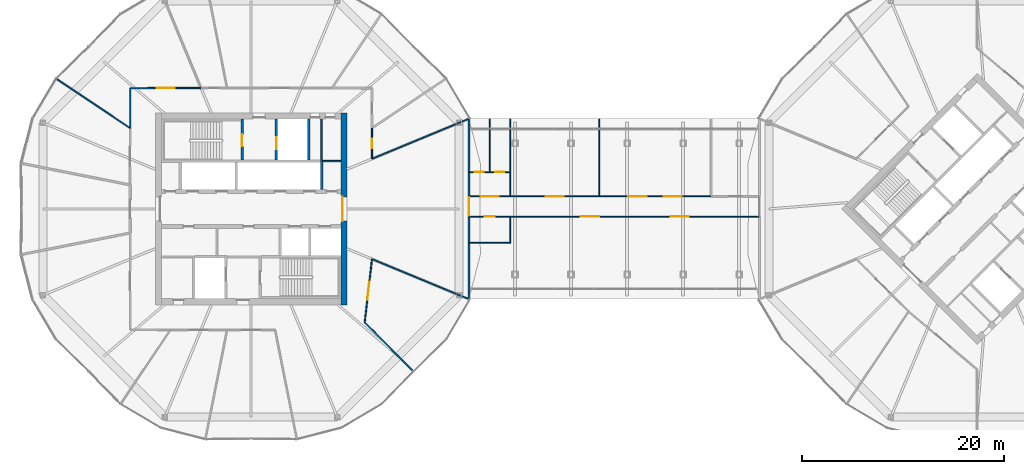
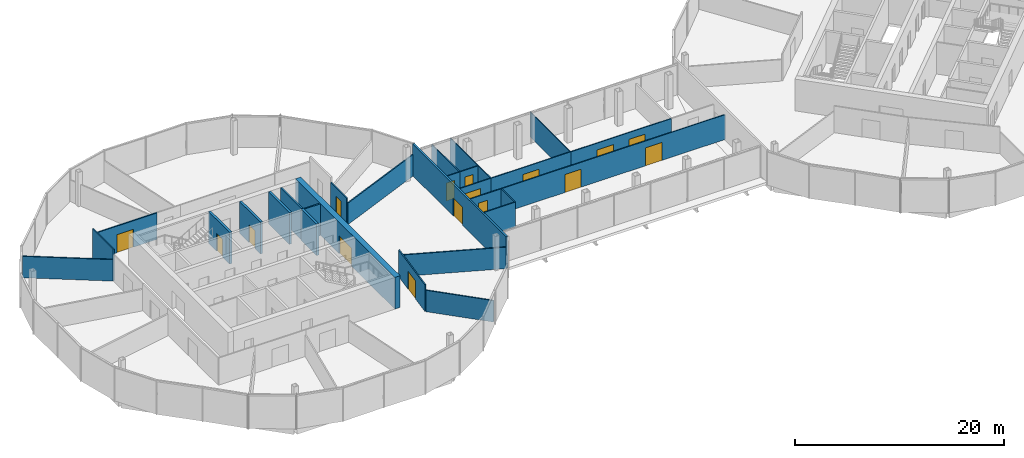
# One storey, part 20 of 25: 29 walls, 16 doors, 16 openings.
"""IFC4 building model written with IfcOpenShell, lengths in metres."""

from ifc_helpers import new_model, si_unit, direction, frame, frame_2d, origin, place, context, subcontext, project, spatial, rectangle, extrude, material, layer, layer_set, type_object, element, fill, save


model = new_model("IFC4")

# Units and contexts
model_context = context("Model", 3, precision=1e-05, world=origin(), true_north=direction((0.0, 1.0)))
body_context = subcontext(model_context, "Body", "Model", "MODEL_VIEW")
ifc_project = project(units=[si_unit("LENGTHUNIT", "METRE"), si_unit("AREAUNIT", "SQUARE_METRE"), si_unit("VOLUMEUNIT", "CUBIC_METRE"), si_unit("PLANEANGLEUNIT", "RADIAN"), si_unit("MASSUNIT", "GRAM", prefix="KILO")], contexts=[model_context])

# Site, building, storey
site_placement = place(None, origin())
site = spatial("IfcSite", under=ifc_project, at=site_placement, CompositionType="ELEMENT")
building_placement = place(site_placement, origin())
building = spatial("IfcBuilding", under=site, at=building_placement, Name="Ogive Gate Towers", CompositionType="ELEMENT")
storey_placement = place(building_placement, frame((0.0, 0.0, 140.800048828125)))
storey = spatial("IfcBuildingStorey", under=building, at=storey_placement, Name="L33", CompositionType="ELEMENT", Elevation=140.800048828125)

# Wall, opening, door
ifc_material_1 = material(Name="Concrete C60/75", Category="concrete")
ifc_layer_1 = layer(ifc_material_1, 0.60009765625)
ifc_layer_set_1 = layer_set([ifc_layer_1], Name="Core wall 600 mm")
wall_type_1 = type_object("IfcWallType", Name="Core wall 600 mm", PredefinedType="SHEAR", material=ifc_layer_set_1)
wall_1_placement = place(storey_placement, frame((-26.800048828125, -9.5, 0.0), z_axis=(0.0, 0.0, 1.0), x_axis=(0.0, 1.0, 0.0)))
wall_1 = element("IfcWall", 1, at=wall_1_placement, inside=storey, type_object=wall_type_1, Name="T1 L33 Core wall 600 mm", PredefinedType="SHEAR", context=body_context, shape_type="SweptSolid", body=[
    extrude(rectangle(XDim=19.0, YDim=0.60009765625, at=frame_2d((9.5, 0.0))), origin(), (0.0, 0.0, 1.0), 3.699951171875),
])
opening_1_placement = place(wall_1_placement, frame((8.300048828125, 0.0, 0.0)))
opening_1 = element("IfcOpeningElement", 2, at=opening_1_placement, cuts=wall_1, Name="Opening KD-T1-L33-02", PredefinedType="OPENING", context=body_context, shape_type="SweptSolid", body=[
    extrude(rectangle(XDim=2.39990234375, YDim=2.10009765625, at=frame_2d((1.199951171875, 1.050048828125))), frame((0.0, 0.31005859375, 0.0), z_axis=(0.0, -1.0, 0.0), x_axis=(1.0, 0.0, 0.0)), (0.0, 0.0, 1.0), 0.6201171875),
])
ifc_material_2 = material(Name="Steel fire door", Category="steel")
door_type_1 = type_object("IfcDoorType", Name="Core double door FD60S 2400 x 2100", OperationType="DOUBLE_DOOR_SINGLE_SWING", PredefinedType="DOOR", material=ifc_material_2)
door_1_placement = place(opening_1_placement, origin())
door_1 = element("IfcDoor", 3, at=door_1_placement, inside=storey, type_object=door_type_1, Name="T1 L33 Core door double", OperationType="DOUBLE_DOOR_SINGLE_SWING", OverallHeight=2.10009765625, OverallWidth=2.39990234375, PredefinedType="DOOR", context=body_context, shape_type="SweptSolid", body=[
    extrude(rectangle(XDim=2.39990234375, YDim=2.10009765625, at=frame_2d((1.199951171875, 1.050048828125))), frame((0.0, 0.1748046875, 0.0), z_axis=(0.0, -1.0, 0.0), x_axis=(1.0, 0.0, 0.0)), (0.0, 0.0, 1.0), 0.050048828125),
])
fill(opening_1, door_1)

# Walls
ifc_material_3 = material(Name="Gypsum board partition")
ifc_layer_2 = layer(ifc_material_3, 0.125)
ifc_layer_set_2 = layer_set([ifc_layer_2], Name="Partition 125")
wall_type_2 = type_object("IfcWallType", Name="Partition 125", PredefinedType="PARTITIONING", material=ifc_layer_set_2)
wall_2_placement = place(storey_placement, frame((-14.499755859375, 8.90576171875, 0.0), z_axis=(0.0, 0.0, 1.0), x_axis=(-0.923875736147, -0.382692597469, 0.0)))
element("IfcWall", 4, at=wall_2_placement, inside=storey, type_object=wall_type_2, Name="Partition T1-L33-001", PredefinedType="PARTITIONING", context=body_context, shape_type="SweptSolid", body=[
    extrude(rectangle(XDim=10.228271484375, YDim=0.125, at=frame_2d((5.1142578125, 0.0))), origin(), (0.0, 0.0, 1.0), 2.5),
])
wall_3_placement = place(storey_placement, frame((-55.268798828125, 12.88427734375, 0.0), z_axis=(0.0, 0.0, 1.0), x_axis=(0.831284160805, -0.55584768057, 0.0)))
element("IfcWall", 5, at=wall_3_placement, inside=storey, type_object=wall_type_2, Name="Partition T1-L33-006", PredefinedType="PARTITIONING", context=body_context, shape_type="SweptSolid", body=[
    extrude(rectangle(XDim=8.6865234375, YDim=0.125, at=frame_2d((4.34326171875, 0.0))), origin(), (0.0, 0.0, 1.0), 2.5),
])
wall_4_placement = place(storey_placement, frame((-19.96337890625, -16.03662109375, 0.0), z_axis=(0.0, 0.0, 1.0), x_axis=(-0.707106781187, 0.707106781187, 0.0)))
element("IfcWall", 6, at=wall_4_placement, inside=storey, type_object=wall_type_2, Name="Partition T1-L33-012", PredefinedType="PARTITIONING", context=body_context, shape_type="SweptSolid", body=[
    extrude(rectangle(XDim=6.686767578125, YDim=0.125, at=frame_2d((3.34326171875, 0.0))), origin(), (0.0, 0.0, 1.0), 2.5),
])
wall_5_placement = place(storey_placement, frame((-14.499755859375, -8.90576171875, 0.0), z_axis=(0.0, 0.0, 1.0), x_axis=(-0.923875736147, 0.382692597469, 0.0)))
element("IfcWall", 7, at=wall_5_placement, inside=storey, type_object=wall_type_2, Name="Partition T1-L33-013", PredefinedType="PARTITIONING", context=body_context, shape_type="SweptSolid", body=[
    extrude(rectangle(XDim=10.228271484375, YDim=0.125, at=frame_2d((5.1142578125, 0.0))), origin(), (0.0, 0.0, 1.0), 2.5),
])

# Wall, opening, door
wall_6_placement = place(storey_placement, frame((-24.007080078125, 4.967529296875, 0.0), z_axis=(0.0, 0.0, 1.0), x_axis=(0.000959385551, 0.99999953979, 0.0)))
wall_6 = element("IfcWall", 8, at=wall_6_placement, inside=storey, type_object=wall_type_2, Name="Partition T1-L33-014", PredefinedType="PARTITIONING", context=body_context, shape_type="SweptSolid", body=[
    extrude(rectangle(XDim=3.0537109375, YDim=0.125, at=frame_2d((1.52685546875, 0.0))), origin(), (0.0, 0.0, 1.0), 3.099853515625),
])
opening_2_placement = place(wall_6_placement, frame((1.076904296875, 0.0, 0.0)))
opening_2 = element("IfcOpeningElement", 9, at=opening_2_placement, cuts=wall_6, Name="Opening T1-L33-D01", PredefinedType="OPENING", context=body_context, shape_type="SweptSolid", body=[
    extrude(rectangle(XDim=0.89990234375, YDim=2.10009765625, at=frame_2d((0.449951171875, 1.050048828125))), frame((0.0, 0.072509765625, 0.0), z_axis=(0.0, -1.0, 0.0), x_axis=(1.0, 0.0, 0.0)), (0.0, 0.0, 1.0), 0.14501953125),
])
ifc_material_4 = material(Name="Timber door", Category="wood")
door_type_2 = type_object("IfcDoorType", Name="Door 900", OperationType="NOTDEFINED", PredefinedType="DOOR", material=ifc_material_4)
door_2_placement = place(opening_2_placement, origin())
door_2 = element("IfcDoor", 10, at=door_2_placement, inside=storey, type_object=door_type_2, Name="Door T1-L33-D01", OperationType="SINGLE_SWING_RIGHT", OverallHeight=2.10009765625, OverallWidth=0.89990234375, PredefinedType="DOOR", context=body_context, shape_type="SweptSolid", body=[
    extrude(rectangle(XDim=0.89990234375, YDim=2.10009765625, at=frame_2d((0.449951171875, 1.050048828125))), frame((0.0, 0.02490234375, 0.0), z_axis=(0.0, -1.0, 0.0), x_axis=(1.0, 0.0, 0.0)), (0.0, 0.0, 1.0), 0.050048828125),
])
fill(opening_2, door_2)

wall_7_placement = place(storey_placement, frame((-40.967529296875, 11.992919921875, 0.0), z_axis=(0.0, 0.0, 1.0), x_axis=(-0.999998297602, -0.001845208014, 0.0)))
wall_7 = element("IfcWall", 11, at=wall_7_placement, inside=storey, type_object=wall_type_2, Name="Partition T1-L33-019", PredefinedType="PARTITIONING", context=body_context, shape_type="SweptSolid", body=[
    extrude(rectangle(XDim=7.012451171875, YDim=0.125, at=frame_2d((3.50634765625, 0.0))), origin(), (0.0, 0.0, 1.0), 3.099853515625),
])
opening_3_placement = place(wall_7_placement, frame((2.60595703125, 0.0, 0.0)))
opening_3 = element("IfcOpeningElement", 12, at=opening_3_placement, cuts=wall_7, Name="Opening T1-L33-D05", PredefinedType="OPENING", context=body_context, shape_type="SweptSolid", body=[
    extrude(rectangle(XDim=1.800048828125, YDim=2.10009765625, at=frame_2d((0.89990234375, 1.050048828125))), frame((0.0, 0.072509765625, 0.0), z_axis=(0.0, -1.0, 0.0), x_axis=(1.0, 0.0, 0.0)), (0.0, 0.0, 1.0), 0.14501953125),
])
door_type_3 = type_object("IfcDoorType", Name="Door pair 1800", OperationType="NOTDEFINED", PredefinedType="DOOR", material=ifc_material_4)
door_3_placement = place(opening_3_placement, origin())
door_3 = element("IfcDoor", 13, at=door_3_placement, inside=storey, type_object=door_type_3, Name="Door T1-L33-D05", OperationType="DOUBLE_DOOR_DOUBLE_SWING", OverallHeight=2.10009765625, OverallWidth=1.800048828125, PredefinedType="DOOR", context=body_context, shape_type="SweptSolid", body=[
    extrude(rectangle(XDim=1.800048828125, YDim=2.10009765625, at=frame_2d((0.89990234375, 1.050048828125))), frame((0.0, 0.02490234375, 0.0), z_axis=(0.0, -1.0, 0.0), x_axis=(1.0, 0.0, 0.0)), (0.0, 0.0, 1.0), 0.050048828125),
])
fill(opening_3, door_3)

# Wall
wall_8_placement = place(storey_placement, frame((-47.97998046875, 11.97998046875, 0.0), z_axis=(0.0, 0.0, 1.0), x_axis=(-0.004008601774, -0.999991965524, 0.0)))
element("IfcWall", 14, at=wall_8_placement, inside=storey, type_object=wall_type_2, Name="Partition T1-L33-020", PredefinedType="PARTITIONING", context=body_context, shape_type="SweptSolid", body=[
    extrude(rectangle(XDim=3.958740234375, YDim=0.125, at=frame_2d((1.9794921875, 0.0))), origin(), (0.0, 0.0, 1.0), 3.699951171875),
])

# Wall, opening, door
wall_9_placement = place(storey_placement, frame((-24.73583984375, -11.26416015625, 0.0), z_axis=(0.0, 0.0, 1.0), x_axis=(0.114970577286, 0.993368897418, 0.0)))
wall_9 = element("IfcWall", 15, at=wall_9_placement, inside=storey, type_object=wall_type_2, Name="Partition T1-L33-027", PredefinedType="PARTITIONING", context=body_context, shape_type="SweptSolid", body=[
    extrude(rectangle(XDim=6.338623046875, YDim=0.125, at=frame_2d((3.16943359375, 0.0))), origin(), (0.0, 0.0, 1.0), 3.099853515625),
])
opening_4_placement = place(wall_9_placement, frame((2.26904296875, 0.0, 0.0)))
opening_4 = element("IfcOpeningElement", 16, at=opening_4_placement, cuts=wall_9, Name="Opening T1-L33-D11", PredefinedType="OPENING", context=body_context, shape_type="SweptSolid", body=[
    extrude(rectangle(XDim=1.800048828125, YDim=2.10009765625, at=frame_2d((0.89990234375, 1.050048828125))), frame((0.0, 0.072509765625, 0.0), z_axis=(0.0, -1.0, 0.0), x_axis=(1.0, 0.0, 0.0)), (0.0, 0.0, 1.0), 0.14501953125),
])
door_4_placement = place(opening_4_placement, origin())
door_4 = element("IfcDoor", 17, at=door_4_placement, inside=storey, type_object=door_type_3, Name="Door T1-L33-D11", OperationType="DOUBLE_DOOR_DOUBLE_SWING", OverallHeight=2.10009765625, OverallWidth=1.800048828125, PredefinedType="DOOR", context=body_context, shape_type="SweptSolid", body=[
    extrude(rectangle(XDim=1.800048828125, YDim=2.10009765625, at=frame_2d((0.89990234375, 1.050048828125))), frame((0.0, 0.02490234375, 0.0), z_axis=(0.0, -1.0, 0.0), x_axis=(1.0, 0.0, 0.0)), (0.0, 0.0, 1.0), 0.050048828125),
])
fill(opening_4, door_4)

ifc_layer_3 = layer(ifc_material_3, 0.10009765625)
ifc_layer_set_3 = layer_set([ifc_layer_3], Name="Partition wall 100")
wall_type_3 = type_object("IfcWallType", Name="Partition wall 100", PredefinedType="PARTITIONING", material=ifc_layer_set_3)
wall_10_placement = place(storey_placement, frame((-14.399658203125, 1.25, 0.0), z_axis=(0.0, 0.0, 1.0), x_axis=(1.0, 0.0, 0.0)))
wall_10 = element("IfcWall", 18, at=wall_10_placement, inside=storey, type_object=wall_type_3, Name="L33 partition 001", PredefinedType="PARTITIONING", context=body_context, shape_type="SweptSolid", body=[
    extrude(rectangle(XDim=4.119140625, YDim=0.10009765625, at=frame_2d((2.0595703125, 0.0))), origin(), (0.0, 0.0, 1.0), 2.89990234375),
])
opening_5_placement = place(wall_10_placement, frame((1.15966796875, 0.0, 0.0)))
opening_5 = element("IfcOpeningElement", 19, at=opening_5_placement, cuts=wall_10, Name="Opening PO228", PredefinedType="OPENING", context=body_context, shape_type="SweptSolid", body=[
    extrude(rectangle(XDim=1.800048828125, YDim=2.10009765625, at=frame_2d((0.89990234375, 1.050048828125))), frame((0.0, 0.06005859375, 0.0), z_axis=(0.0, -1.0, 0.0), x_axis=(1.0, 0.0, 0.0)), (0.0, 0.0, 1.0), 0.1201171875),
])
door_type_4 = type_object("IfcDoorType", Name="Double door 1800 x 2100", OperationType="NOTDEFINED", PredefinedType="DOOR", material=ifc_material_4)
door_5_placement = place(opening_5_placement, origin())
door_5 = element("IfcDoor", 20, at=door_5_placement, inside=storey, type_object=door_type_4, Name="Door PO228", OperationType="DOUBLE_DOOR_DOUBLE_SWING", OverallHeight=2.10009765625, OverallWidth=1.800048828125, PredefinedType="DOOR", context=body_context, shape_type="SweptSolid", body=[
    extrude(rectangle(XDim=1.800048828125, YDim=2.10009765625, at=frame_2d((0.89990234375, 1.050048828125))), frame((0.0, 0.02490234375, 0.0), z_axis=(0.0, -1.0, 0.0), x_axis=(1.0, 0.0, 0.0)), (0.0, 0.0, 1.0), 0.050048828125),
])
fill(opening_5, door_5)

wall_11_placement = place(storey_placement, frame((-14.399658203125, -0.75, 0.0), z_axis=(0.0, 0.0, 1.0), x_axis=(1.0, 0.0, 0.0)))
wall_11 = element("IfcWall", 21, at=wall_11_placement, inside=storey, type_object=wall_type_3, Name="L33 partition 002", PredefinedType="PARTITIONING", context=body_context, shape_type="SweptSolid", body=[
    extrude(rectangle(XDim=4.119140625, YDim=0.10009765625, at=frame_2d((2.0595703125, 0.0))), origin(), (0.0, 0.0, 1.0), 2.89990234375),
])
opening_6_placement = place(wall_11_placement, frame((1.5595703125, 0.0, 0.0)))
opening_6 = element("IfcOpeningElement", 22, at=opening_6_placement, cuts=wall_11, Name="Opening PO231", PredefinedType="OPENING", context=body_context, shape_type="SweptSolid", body=[
    extrude(rectangle(XDim=1.0, YDim=2.10009765625, at=frame_2d((0.5, 1.050048828125))), frame((0.0, 0.06005859375, 0.0), z_axis=(0.0, -1.0, 0.0), x_axis=(1.0, 0.0, 0.0)), (0.0, 0.0, 1.0), 0.1201171875),
])
door_type_5 = type_object("IfcDoorType", Name="Door 1000 x 2100", OperationType="NOTDEFINED", PredefinedType="DOOR", material=ifc_material_4)
door_6_placement = place(opening_6_placement, origin())
door_6 = element("IfcDoor", 23, at=door_6_placement, inside=storey, type_object=door_type_5, Name="Door PO231", OperationType="SINGLE_SWING_LEFT", OverallHeight=2.10009765625, OverallWidth=1.0, PredefinedType="DOOR", context=body_context, shape_type="SweptSolid", body=[
    extrude(rectangle(XDim=1.0, YDim=2.10009765625, at=frame_2d((0.5, 1.050048828125))), frame((0.0, 0.02490234375, 0.0), z_axis=(0.0, -1.0, 0.0), x_axis=(1.0, 0.0, 0.0)), (0.0, 0.0, 1.0), 0.050048828125),
])
fill(opening_6, door_6)

wall_12_placement = place(storey_placement, frame((-10.280517578125, 1.25, 0.0), z_axis=(0.0, 0.0, 1.0), x_axis=(1.0, 0.0, 0.0)))
wall_12 = element("IfcWall", 24, at=wall_12_placement, inside=storey, type_object=wall_type_3, Name="L33 partition 003", PredefinedType="PARTITIONING", context=body_context, shape_type="SweptSolid", body=[
    extrude(rectangle(XDim=8.78466796875, YDim=0.10009765625, at=frame_2d((4.392333984375, 0.0))), origin(), (0.0, 0.0, 1.0), 2.89990234375),
])
opening_7_placement = place(wall_12_placement, frame((3.492431640625, 0.0, 0.0)))
opening_7 = element("IfcOpeningElement", 25, at=opening_7_placement, cuts=wall_12, Name="Opening PO232", PredefinedType="OPENING", context=body_context, shape_type="SweptSolid", body=[
    extrude(rectangle(XDim=1.800048828125, YDim=2.10009765625, at=frame_2d((0.89990234375, 1.050048828125))), frame((0.0, 0.06005859375, 0.0), z_axis=(0.0, -1.0, 0.0), x_axis=(1.0, 0.0, 0.0)), (0.0, 0.0, 1.0), 0.1201171875),
])
door_7_placement = place(opening_7_placement, origin())
door_7 = element("IfcDoor", 26, at=door_7_placement, inside=storey, type_object=door_type_4, Name="Door PO232", OperationType="DOUBLE_DOOR_DOUBLE_SWING", OverallHeight=2.10009765625, OverallWidth=1.800048828125, PredefinedType="DOOR", context=body_context, shape_type="SweptSolid", body=[
    extrude(rectangle(XDim=1.800048828125, YDim=2.10009765625, at=frame_2d((0.89990234375, 1.050048828125))), frame((0.0, 0.02490234375, 0.0), z_axis=(0.0, -1.0, 0.0), x_axis=(1.0, 0.0, 0.0)), (0.0, 0.0, 1.0), 0.050048828125),
])
fill(opening_7, door_7)

# Wall, openings, doors
wall_13_placement = place(storey_placement, frame((-1.495849609375, 1.25, 0.0), z_axis=(0.0, 0.0, 1.0), x_axis=(1.0, 0.0, 0.0)))
wall_13 = element("IfcWall", 27, at=wall_13_placement, inside=storey, type_object=wall_type_3, Name="L33 partition 004", PredefinedType="PARTITIONING", context=body_context, shape_type="SweptSolid", body=[
    extrude(rectangle(XDim=11.113037109375, YDim=0.10009765625, at=frame_2d((5.556640625, 0.0))), origin(), (0.0, 0.0, 1.0), 2.89990234375),
])
opening_8_placement = place(wall_13_placement, frame((2.913818359375, 0.0, 0.0)))
opening_8 = element("IfcOpeningElement", 28, at=opening_8_placement, cuts=wall_13, Name="Opening PO233", PredefinedType="OPENING", context=body_context, shape_type="SweptSolid", body=[
    extrude(rectangle(XDim=1.800048828125, YDim=2.10009765625, at=frame_2d((0.89990234375, 1.050048828125))), frame((0.0, 0.06005859375, 0.0), z_axis=(0.0, -1.0, 0.0), x_axis=(1.0, 0.0, 0.0)), (0.0, 0.0, 1.0), 0.1201171875),
])
opening_9_placement = place(wall_13_placement, frame((6.399169921875, 0.0, 0.0)))
opening_9 = element("IfcOpeningElement", 29, at=opening_9_placement, cuts=wall_13, Name="Opening PO234", PredefinedType="OPENING", context=body_context, shape_type="SweptSolid", body=[
    extrude(rectangle(XDim=1.800048828125, YDim=2.10009765625, at=frame_2d((0.89990234375, 1.050048828125))), frame((0.0, 0.06005859375, 0.0), z_axis=(0.0, -1.0, 0.0), x_axis=(1.0, 0.0, 0.0)), (0.0, 0.0, 1.0), 0.1201171875),
])
door_8_placement = place(opening_8_placement, origin())
door_8 = element("IfcDoor", 30, at=door_8_placement, inside=storey, type_object=door_type_4, Name="Door PO233", OperationType="DOUBLE_DOOR_DOUBLE_SWING", OverallHeight=2.10009765625, OverallWidth=1.800048828125, PredefinedType="DOOR", context=body_context, shape_type="SweptSolid", body=[
    extrude(rectangle(XDim=1.800048828125, YDim=2.10009765625, at=frame_2d((0.89990234375, 1.050048828125))), frame((0.0, 0.02490234375, 0.0), z_axis=(0.0, -1.0, 0.0), x_axis=(1.0, 0.0, 0.0)), (0.0, 0.0, 1.0), 0.050048828125),
])
fill(opening_8, door_8)
door_9_placement = place(opening_9_placement, origin())
door_9 = element("IfcDoor", 31, at=door_9_placement, inside=storey, type_object=door_type_4, Name="Door PO234", OperationType="DOUBLE_DOOR_DOUBLE_SWING", OverallHeight=2.10009765625, OverallWidth=1.800048828125, PredefinedType="DOOR", context=body_context, shape_type="SweptSolid", body=[
    extrude(rectangle(XDim=1.800048828125, YDim=2.10009765625, at=frame_2d((0.89990234375, 1.050048828125))), frame((0.0, 0.02490234375, 0.0), z_axis=(0.0, -1.0, 0.0), x_axis=(1.0, 0.0, 0.0)), (0.0, 0.0, 1.0), 0.050048828125),
])
fill(opening_9, door_9)

wall_14_placement = place(storey_placement, frame((-10.280517578125, -0.75, 0.0), z_axis=(0.0, 0.0, 1.0), x_axis=(1.0, 0.0, 0.0)))
wall_14 = element("IfcWall", 32, at=wall_14_placement, inside=storey, type_object=wall_type_3, Name="L33 partition 006", PredefinedType="PARTITIONING", context=body_context, shape_type="SweptSolid", body=[
    extrude(rectangle(XDim=24.68017578125, YDim=0.10009765625, at=frame_2d((12.340087890625, 0.0))), origin(), (0.0, 0.0, 1.0), 2.89990234375),
])
opening_10_placement = place(wall_14_placement, frame((6.984130859375, 0.0, 0.0)))
opening_10 = element("IfcOpeningElement", 33, at=opening_10_placement, cuts=wall_14, Name="Opening PO236", PredefinedType="OPENING", context=body_context, shape_type="SweptSolid", body=[
    extrude(rectangle(XDim=1.800048828125, YDim=2.10009765625, at=frame_2d((0.89990234375, 1.050048828125))), frame((0.0, 0.06005859375, 0.0), z_axis=(0.0, -1.0, 0.0), x_axis=(1.0, 0.0, 0.0)), (0.0, 0.0, 1.0), 0.1201171875),
])
opening_11_placement = place(wall_14_placement, frame((15.89599609375, 0.0, 0.0)))
opening_11 = element("IfcOpeningElement", 34, at=opening_11_placement, cuts=wall_14, Name="Opening PO237", PredefinedType="OPENING", context=body_context, shape_type="SweptSolid", body=[
    extrude(rectangle(XDim=1.800048828125, YDim=2.10009765625, at=frame_2d((0.89990234375, 1.050048828125))), frame((0.0, 0.06005859375, 0.0), z_axis=(0.0, -1.0, 0.0), x_axis=(1.0, 0.0, 0.0)), (0.0, 0.0, 1.0), 0.1201171875),
])
door_10_placement = place(opening_10_placement, origin())
door_10 = element("IfcDoor", 35, at=door_10_placement, inside=storey, type_object=door_type_4, Name="Door PO236", OperationType="DOUBLE_DOOR_DOUBLE_SWING", OverallHeight=2.10009765625, OverallWidth=1.800048828125, PredefinedType="DOOR", context=body_context, shape_type="SweptSolid", body=[
    extrude(rectangle(XDim=1.800048828125, YDim=2.10009765625, at=frame_2d((0.89990234375, 1.050048828125))), frame((0.0, 0.02490234375, 0.0), z_axis=(0.0, -1.0, 0.0), x_axis=(1.0, 0.0, 0.0)), (0.0, 0.0, 1.0), 0.050048828125),
])
fill(opening_10, door_10)
door_11_placement = place(opening_11_placement, origin())
door_11 = element("IfcDoor", 36, at=door_11_placement, inside=storey, type_object=door_type_4, Name="Door PO237", OperationType="DOUBLE_DOOR_DOUBLE_SWING", OverallHeight=2.10009765625, OverallWidth=1.800048828125, PredefinedType="DOOR", context=body_context, shape_type="SweptSolid", body=[
    extrude(rectangle(XDim=1.800048828125, YDim=2.10009765625, at=frame_2d((0.89990234375, 1.050048828125))), frame((0.0, 0.02490234375, 0.0), z_axis=(0.0, -1.0, 0.0), x_axis=(1.0, 0.0, 0.0)), (0.0, 0.0, 1.0), 0.050048828125),
])
fill(opening_11, door_11)

# Wall, opening, door
wall_15_placement = place(storey_placement, frame((-14.399658203125, 3.64990234375, 0.0), z_axis=(0.0, 0.0, 1.0), x_axis=(1.0, 0.0, 0.0)))
wall_15 = element("IfcWall", 37, at=wall_15_placement, inside=storey, type_object=wall_type_3, Name="L33 partition 007", PredefinedType="PARTITIONING", context=body_context, shape_type="SweptSolid", body=[
    extrude(rectangle(XDim=2.0595703125, YDim=0.10009765625, at=frame_2d((1.02978515625, 0.0))), origin(), (0.0, 0.0, 1.0), 2.89990234375),
])
opening_12_placement = place(wall_15_placement, frame((0.579833984375, 0.0, 0.0)))
opening_12 = element("IfcOpeningElement", 38, at=opening_12_placement, cuts=wall_15, Name="Opening PO229", PredefinedType="OPENING", context=body_context, shape_type="SweptSolid", body=[
    extrude(rectangle(XDim=0.89990234375, YDim=2.10009765625, at=frame_2d((0.449951171875, 1.050048828125))), frame((0.0, 0.06005859375, 0.0), z_axis=(0.0, -1.0, 0.0), x_axis=(1.0, 0.0, 0.0)), (0.0, 0.0, 1.0), 0.1201171875),
])
door_type_6 = type_object("IfcDoorType", Name="Door 900 x 2100", OperationType="NOTDEFINED", PredefinedType="DOOR", material=ifc_material_4)
door_12_placement = place(opening_12_placement, origin())
door_12 = element("IfcDoor", 39, at=door_12_placement, inside=storey, type_object=door_type_6, Name="Door PO229", OperationType="SINGLE_SWING_LEFT", OverallHeight=2.10009765625, OverallWidth=0.89990234375, PredefinedType="DOOR", context=body_context, shape_type="SweptSolid", body=[
    extrude(rectangle(XDim=0.89990234375, YDim=2.10009765625, at=frame_2d((0.449951171875, 1.050048828125))), frame((0.0, 0.02490234375, 0.0), z_axis=(0.0, -1.0, 0.0), x_axis=(1.0, 0.0, 0.0)), (0.0, 0.0, 1.0), 0.050048828125),
])
fill(opening_12, door_12)

wall_16_placement = place(storey_placement, frame((-12.340087890625, 3.64990234375, 0.0), z_axis=(0.0, 0.0, 1.0), x_axis=(1.0, 0.0, 0.0)))
wall_16 = element("IfcWall", 40, at=wall_16_placement, inside=storey, type_object=wall_type_3, Name="L33 partition 008", PredefinedType="PARTITIONING", context=body_context, shape_type="SweptSolid", body=[
    extrude(rectangle(XDim=2.009521484375, YDim=0.10009765625, at=frame_2d((1.0048828125, 0.0))), origin(), (0.0, 0.0, 1.0), 2.89990234375),
])
opening_13_placement = place(wall_16_placement, frame((0.5546875, 0.0, 0.0)))
opening_13 = element("IfcOpeningElement", 41, at=opening_13_placement, cuts=wall_16, Name="Opening PO230", PredefinedType="OPENING", context=body_context, shape_type="SweptSolid", body=[
    extrude(rectangle(XDim=0.89990234375, YDim=2.10009765625, at=frame_2d((0.449951171875, 1.050048828125))), frame((0.0, 0.06005859375, 0.0), z_axis=(0.0, -1.0, 0.0), x_axis=(1.0, 0.0, 0.0)), (0.0, 0.0, 1.0), 0.1201171875),
])
door_13_placement = place(opening_13_placement, origin())
door_13 = element("IfcDoor", 42, at=door_13_placement, inside=storey, type_object=door_type_6, Name="Door PO230", OperationType="SINGLE_SWING_RIGHT", OverallHeight=2.10009765625, OverallWidth=0.89990234375, PredefinedType="DOOR", context=body_context, shape_type="SweptSolid", body=[
    extrude(rectangle(XDim=0.89990234375, YDim=2.10009765625, at=frame_2d((0.449951171875, 1.050048828125))), frame((0.0, 0.02490234375, 0.0), z_axis=(0.0, -1.0, 0.0), x_axis=(1.0, 0.0, 0.0)), (0.0, 0.0, 1.0), 0.050048828125),
])
fill(opening_13, door_13)

# Walls
wall_17_placement = place(storey_placement, frame((-10.280517578125, 1.300048828125, 0.0), z_axis=(0.0, 0.0, 1.0), x_axis=(0.0, 1.0, 0.0)))
element("IfcWall", 43, at=wall_17_placement, inside=storey, type_object=wall_type_3, Name="L33 partition 009", PredefinedType="PARTITIONING", context=body_context, shape_type="SweptSolid", body=[
    extrude(rectangle(XDim=2.349853515625, YDim=0.10009765625, at=frame_2d((1.1748046875, 0.0))), origin(), (0.0, 0.0, 1.0), 2.89990234375),
])
wall_18_placement = place(storey_placement, frame((-12.340087890625, 3.699951171875, 0.0), z_axis=(0.0, 0.0, 1.0), x_axis=(0.0, 1.0, 0.0)))
element("IfcWall", 44, at=wall_18_placement, inside=storey, type_object=wall_type_3, Name="L33 partition 010", PredefinedType="PARTITIONING", context=body_context, shape_type="SweptSolid", body=[
    extrude(rectangle(XDim=5.2470703125, YDim=0.10009765625, at=frame_2d((2.62353515625, 0.0))), origin(), (0.0, 0.0, 1.0), 2.89990234375),
])
wall_19_placement = place(storey_placement, frame((-10.280517578125, 3.64990234375, 0.0), z_axis=(0.0, 0.0, 1.0), x_axis=(0.0, 1.0, 0.0)))
element("IfcWall", 45, at=wall_19_placement, inside=storey, type_object=wall_type_3, Name="L33 partition 011", PredefinedType="PARTITIONING", context=body_context, shape_type="SweptSolid", body=[
    extrude(rectangle(XDim=5.297119140625, YDim=0.10009765625, at=frame_2d((2.6484375, 0.0))), origin(), (0.0, 0.0, 1.0), 2.89990234375),
])
wall_20_placement = place(storey_placement, frame((-14.399658203125, -3.35009765625, 0.0), z_axis=(0.0, 0.0, 1.0), x_axis=(1.0, 0.0, 0.0)))
element("IfcWall", 46, at=wall_20_placement, inside=storey, type_object=wall_type_3, Name="L33 partition 012", PredefinedType="PARTITIONING", context=body_context, shape_type="SweptSolid", body=[
    extrude(rectangle(XDim=4.169189453125, YDim=0.10009765625, at=frame_2d((2.08447265625, 0.0))), origin(), (0.0, 0.0, 1.0), 2.89990234375),
])
wall_21_placement = place(storey_placement, frame((-10.280517578125, -3.300048828125, 0.0), z_axis=(0.0, 0.0, 1.0), x_axis=(0.0, 1.0, 0.0)))
element("IfcWall", 47, at=wall_21_placement, inside=storey, type_object=wall_type_3, Name="L33 partition 013", PredefinedType="PARTITIONING", context=body_context, shape_type="SweptSolid", body=[
    extrude(rectangle(XDim=2.5, YDim=0.10009765625, at=frame_2d((1.25, 0.0))), origin(), (0.0, 0.0, 1.0), 2.89990234375),
])
wall_22_placement = place(storey_placement, frame((-1.495849609375, 1.300048828125, 0.0), z_axis=(0.0, 0.0, 1.0), x_axis=(0.0, 1.0, 0.0)))
element("IfcWall", 48, at=wall_22_placement, inside=storey, type_object=wall_type_3, Name="L33 partition 014", PredefinedType="PARTITIONING", context=body_context, shape_type="SweptSolid", body=[
    extrude(rectangle(XDim=7.64697265625, YDim=0.10009765625, at=frame_2d((3.823486328125, 0.0))), origin(), (0.0, 0.0, 1.0), 2.89990234375),
])

# Wall, opening, door
ifc_material_5 = material(Name="Masonry block wall", Category="masonry")
ifc_layer_4 = layer(ifc_material_5, 0.199951171875)
ifc_layer_set_4 = layer_set([ifc_layer_4], Name="Partition wall 200")
wall_type_4 = type_object("IfcWallType", Name="Partition wall 200", PredefinedType="PARTITIONING", material=ifc_layer_set_4)
wall_23_placement = place(storey_placement, frame((-14.399658203125, -8.947021484375, 0.0), z_axis=(0.0, 0.0, 1.0), x_axis=(0.0, 1.0, 0.0)))
wall_23 = element("IfcWall", 49, at=wall_23_placement, inside=storey, type_object=wall_type_4, Name="L33 wall 016", PredefinedType="PARTITIONING", context=body_context, shape_type="SweptSolid", body=[
    extrude(rectangle(XDim=17.89404296875, YDim=0.199951171875, at=frame_2d((8.947021484375, 0.0))), origin(), (0.0, 0.0, 1.0), 3.699951171875),
])
opening_14_placement = place(wall_23_placement, frame((8.297119140625, 0.0, 0.0)))
opening_14 = element("IfcOpeningElement", 50, at=opening_14_placement, cuts=wall_23, Name="Opening PO238", PredefinedType="OPENING", context=body_context, shape_type="SweptSolid", body=[
    extrude(rectangle(XDim=1.800048828125, YDim=2.10009765625, at=frame_2d((0.89990234375, 1.050048828125))), frame((0.0, 0.10986328125, 0.0), z_axis=(0.0, -1.0, 0.0), x_axis=(1.0, 0.0, 0.0)), (0.0, 0.0, 1.0), 0.219970703125),
])
door_type_7 = type_object("IfcDoorType", Name="Interior fire double door FD120S 1800 x 2100", OperationType="NOTDEFINED", PredefinedType="DOOR", material=ifc_material_2)
door_14_placement = place(opening_14_placement, origin())
door_14 = element("IfcDoor", 51, at=door_14_placement, inside=storey, type_object=door_type_7, Name="Door PO238", OperationType="DOUBLE_DOOR_DOUBLE_SWING", OverallHeight=2.10009765625, OverallWidth=1.800048828125, PredefinedType="DOOR", context=body_context, shape_type="SweptSolid", body=[
    extrude(rectangle(XDim=1.800048828125, YDim=2.10009765625, at=frame_2d((0.89990234375, 1.050048828125))), frame((0.0, 0.02490234375, 0.0), z_axis=(0.0, -1.0, 0.0), x_axis=(1.0, 0.0, 0.0)), (0.0, 0.0, 1.0), 0.050048828125),
])
fill(opening_14, door_14)

# Walls
ifc_layer_5 = layer(ifc_material_3, 0.14990234375)
ifc_layer_set_5 = layer_set([ifc_layer_5], Name="Room partition 150 mm")
wall_type_5 = type_object("IfcWallType", Name="Room partition 150 mm", PredefinedType="PARTITIONING", material=ifc_layer_set_5)
wall_24_placement = place(storey_placement, frame((-28.875, 4.75, 0.0), z_axis=(0.0, 0.0, 1.0), x_axis=(1.0, 0.0, 0.0)))
element("IfcWall", 52, at=wall_24_placement, inside=storey, type_object=wall_type_5, Name="T1 L33 Room partition 150 mm", PredefinedType="PARTITIONING", context=body_context, shape_type="SweptSolid", body=[
    extrude(rectangle(XDim=1.77490234375, YDim=0.14990234375, at=frame_2d((0.887451171875, 0.0))), origin(), (0.0, 0.0, 1.0), 3.699951171875),
])
wall_25_placement = place(storey_placement, frame((-29.0, 4.875, 0.0), z_axis=(0.0, 0.0, 1.0), x_axis=(0.0, 1.0, 0.0)))
element("IfcWall", 53, at=wall_25_placement, inside=storey, type_object=wall_type_5, Name="T1 L33 Room partition 150 mm", PredefinedType="PARTITIONING", context=body_context, shape_type="SweptSolid", body=[
    extrude(rectangle(XDim=4.02490234375, YDim=0.14990234375, at=frame_2d((2.012451171875, 0.0))), origin(), (0.0, 0.0, 1.0), 3.699951171875),
])

# Wall, opening, door
ifc_layer_6 = layer(ifc_material_1, 0.25)
ifc_layer_set_6 = layer_set([ifc_layer_6], Name="Shaft wall 250 mm")
wall_type_6 = type_object("IfcWallType", Name="Shaft wall 250 mm", PredefinedType="SHEAR", material=ifc_layer_set_6)
wall_26_placement = place(storey_placement, frame((-36.89990234375, 4.875, 0.0), z_axis=(0.0, 0.0, 1.0), x_axis=(0.0, 1.0, 0.0)))
wall_26 = element("IfcWall", 54, at=wall_26_placement, inside=storey, type_object=wall_type_6, Name="T1 L33 Shaft wall 250 mm", PredefinedType="SHEAR", context=body_context, shape_type="SweptSolid", body=[
    extrude(rectangle(XDim=4.02490234375, YDim=0.25, at=frame_2d((2.012451171875, 0.0))), origin(), (0.0, 0.0, 1.0), 3.699951171875),
])
opening_15_placement = place(wall_26_placement, frame((1.324951171875, 0.0, 0.0)))
opening_15 = element("IfcOpeningElement", 55, at=opening_15_placement, cuts=wall_26, Name="Opening KD-T1-L33-16", PredefinedType="OPENING", context=body_context, shape_type="SweptSolid", body=[
    extrude(rectangle(XDim=1.199951171875, YDim=2.10009765625, at=frame_2d((0.60009765625, 1.050048828125))), frame((0.0, 0.135009765625, 0.0), z_axis=(0.0, -1.0, 0.0), x_axis=(1.0, 0.0, 0.0)), (0.0, 0.0, 1.0), 0.27001953125),
])
door_type_8 = type_object("IfcDoorType", Name="Core door FD60S 1200 x 2100", OperationType="NOTDEFINED", PredefinedType="DOOR", material=ifc_material_2)
door_15_placement = place(opening_15_placement, origin())
door_15 = element("IfcDoor", 56, at=door_15_placement, inside=storey, type_object=door_type_8, Name="T1 L33 Stair door", OperationType="SINGLE_SWING_LEFT", OverallHeight=2.10009765625, OverallWidth=1.199951171875, PredefinedType="DOOR", context=body_context, shape_type="SweptSolid", body=[
    extrude(rectangle(XDim=1.199951171875, YDim=2.10009765625, at=frame_2d((0.60009765625, 1.050048828125))), frame((0.0, 0.02490234375, 0.0), z_axis=(0.0, -1.0, 0.0), x_axis=(1.0, 0.0, 0.0)), (0.0, 0.0, 1.0), 0.050048828125),
])
fill(opening_15, door_15)

wall_27_placement = place(storey_placement, frame((-33.5, 4.875, 0.0), z_axis=(0.0, 0.0, 1.0), x_axis=(0.0, 1.0, 0.0)))
wall_27 = element("IfcWall", 57, at=wall_27_placement, inside=storey, type_object=wall_type_6, Name="T1 L33 Shaft wall 250 mm", PredefinedType="SHEAR", context=body_context, shape_type="SweptSolid", body=[
    extrude(rectangle(XDim=4.02490234375, YDim=0.25, at=frame_2d((2.012451171875, 0.0))), origin(), (0.0, 0.0, 1.0), 3.699951171875),
])
opening_16_placement = place(wall_27_placement, frame((1.02490234375, 0.0, 0.0)))
opening_16 = element("IfcOpeningElement", 58, at=opening_16_placement, cuts=wall_27, Name="Opening LD-T1-L33-12", PredefinedType="OPENING", context=body_context, shape_type="SweptSolid", body=[
    extrude(rectangle(XDim=1.199951171875, YDim=2.10009765625, at=frame_2d((0.60009765625, 1.050048828125))), frame((0.0, 0.135009765625, 0.0), z_axis=(0.0, -1.0, 0.0), x_axis=(1.0, 0.0, 0.0)), (0.0, 0.0, 1.0), 0.27001953125),
])
ifc_material_6 = material(Name="Stainless steel landing door", Category="steel")
door_type_9 = type_object("IfcDoorType", Name="Landing door 1200 x 2100", OperationType="SLIDING_TO_LEFT", PredefinedType="DOOR", material=ifc_material_6)
door_16_placement = place(opening_16_placement, origin())
door_16 = element("IfcDoor", 59, at=door_16_placement, inside=storey, type_object=door_type_9, Name="T1 L33 Lift landing door FF1", OperationType="SLIDING_TO_LEFT", OverallHeight=2.10009765625, OverallWidth=1.199951171875, PredefinedType="DOOR", context=body_context, shape_type="SweptSolid", body=[
    extrude(rectangle(XDim=1.199951171875, YDim=2.10009765625, at=frame_2d((0.60009765625, 1.050048828125))), frame((0.0, 0.02490234375, 0.0), z_axis=(0.0, -1.0, 0.0), x_axis=(1.0, 0.0, 0.0)), (0.0, 0.0, 1.0), 0.050048828125),
])
fill(opening_16, door_16)

# Walls
wall_28_placement = place(storey_placement, frame((-30.300048828125, 4.875, 0.0), z_axis=(0.0, 0.0, 1.0), x_axis=(0.0, 1.0, 0.0)))
element("IfcWall", 60, at=wall_28_placement, inside=storey, type_object=wall_type_6, Name="T1 L33 Shaft wall 250 mm", PredefinedType="SHEAR", context=body_context, shape_type="SweptSolid", body=[
    extrude(rectangle(XDim=4.02490234375, YDim=0.25, at=frame_2d((2.012451171875, 0.0))), origin(), (0.0, 0.0, 1.0), 3.699951171875),
])
wall_29_placement = place(storey_placement, frame((-29.0, 1.949951171875, 0.0), z_axis=(0.0, 0.0, 1.0), x_axis=(0.0, 1.0, 0.0)))
element("IfcWall", 61, at=wall_29_placement, inside=storey, type_object=wall_type_6, Name="T1 L33 Shaft wall 250 mm", PredefinedType="SHEAR", context=body_context, shape_type="SweptSolid", body=[
    extrude(rectangle(XDim=2.925048828125, YDim=0.25, at=frame_2d((1.46240234375, 0.0))), origin(), (0.0, 0.0, 1.0), 3.699951171875),
])

save(model, "model.ifc")
